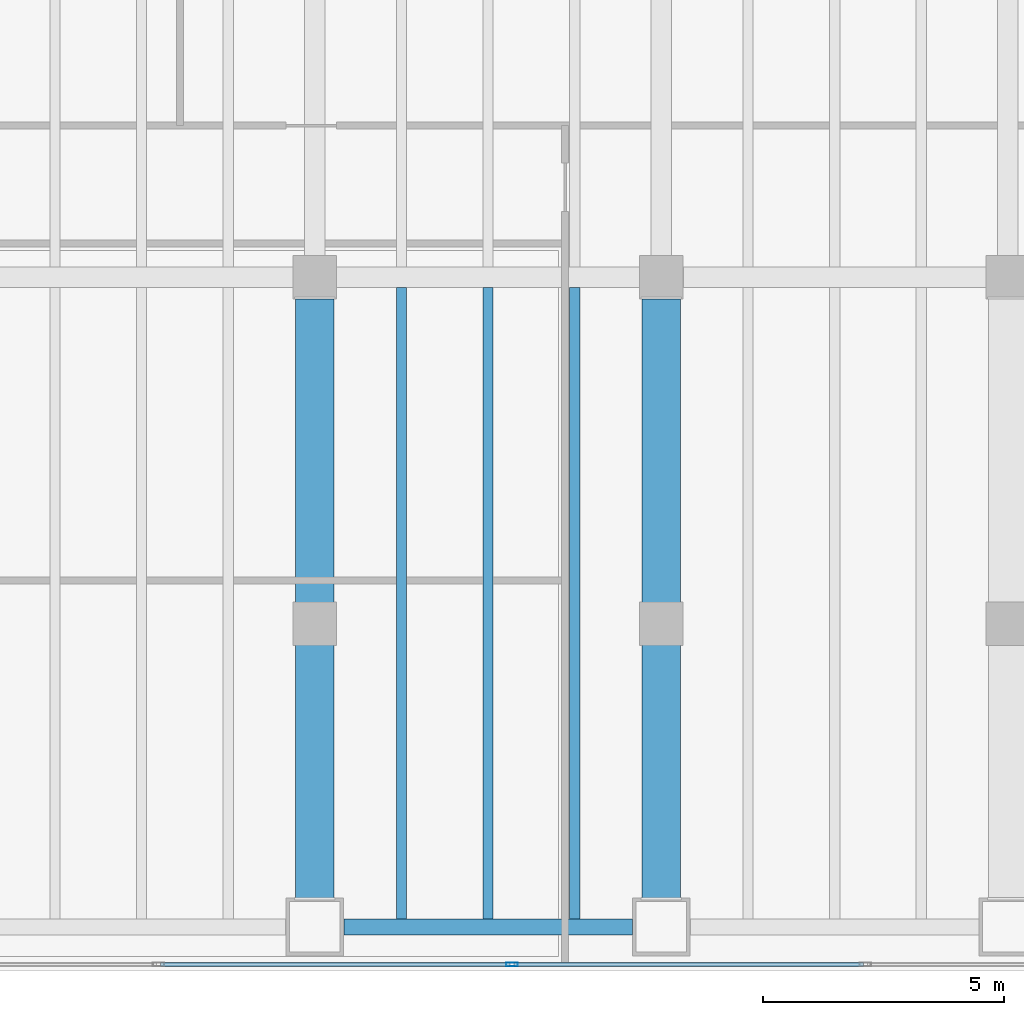
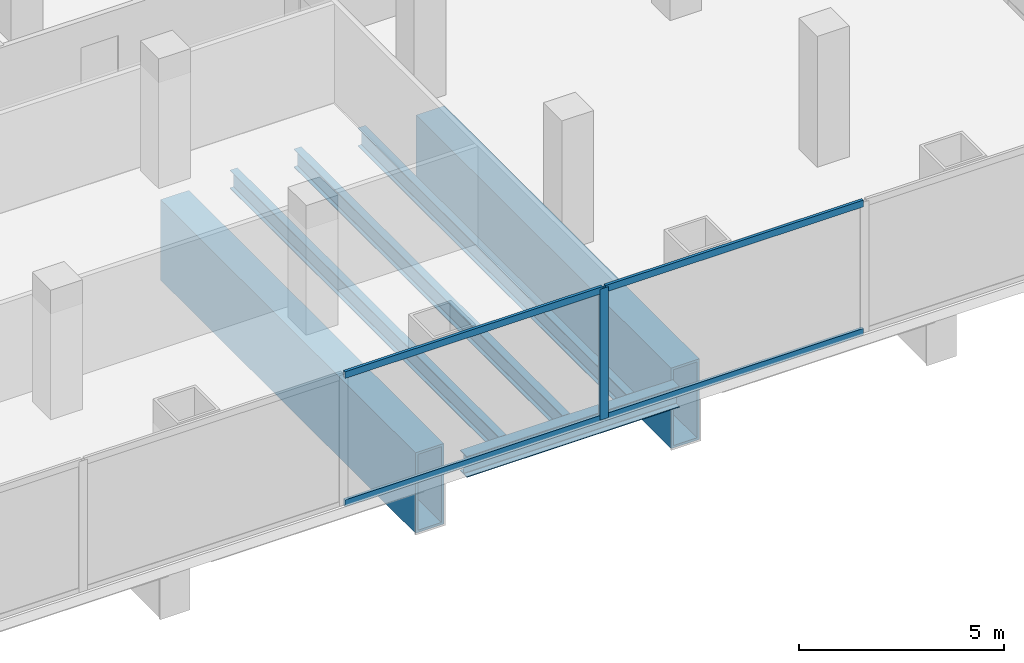
# One storey, part 17 of 34: 6 beams, 5 members, 1 element without a shape of its own.
"""IFC4 building model written with IfcOpenShell, lengths in metres."""

from ifc_helpers import new_model, si_unit, direction, frame, origin, origin_2d, place, context, subcontext, project, spatial, hollow_rectangle, i_section, extrude, material, material_profile, profile_set, type_object, element, aggregate, save


model = new_model("IFC4")

# Units and contexts
model_context = context("Model", 3, precision=1e-05, world=origin(), true_north=direction((0.0, 1.0)))
body_context = subcontext(model_context, "Body", "Model", "MODEL_VIEW")
ifc_project = project(units=[si_unit("LENGTHUNIT", "METRE"), si_unit("AREAUNIT", "SQUARE_METRE"), si_unit("VOLUMEUNIT", "CUBIC_METRE"), si_unit("PLANEANGLEUNIT", "RADIAN"), si_unit("MASSUNIT", "GRAM", prefix="KILO")], contexts=[model_context])

# Site, building, storey
site_placement = place(None, origin())
site = spatial("IfcSite", under=ifc_project, at=site_placement, CompositionType="ELEMENT")
building_placement = place(site_placement, origin())
building = spatial("IfcBuilding", under=site, at=building_placement, Name="Cobrela Telecom Tower", CompositionType="ELEMENT")
storey_placement = place(building_placement, frame((0.0, 0.0, 5.25)))
storey = spatial("IfcBuildingStorey", under=building, at=storey_placement, Name="L01", CompositionType="ELEMENT", Elevation=5.25)

# Beams
ifc_material_1 = material(Name="Steel ASTM A992 Grade 50", Category="steel")
ifc_material_profile_1 = material_profile(ifc_material_1, i_section(OverallWidth=0.212890625, OverallDepth=0.549072265625, WebThickness=0.0146484375, FlangeThickness=0.023681640625, FilletRadius=0.013916015625, at=origin_2d()), Name="W21X93")
ifc_profile_set_1 = profile_set([ifc_material_profile_1], Name="Steel ASTM A992 Grade 50")
beam_type_1 = type_object("IfcBeamType", Name="BM-JOIST-01", PredefinedType="JOIST", material=ifc_profile_set_1)
for number, where, z_axis, x_axis, name in (
    (1, (66.60009765625, 1.069091796875, -0.574462890625), (0.0, 1.0, 0.0), (-1.0, 0.0, 0.0), "L01 Secondary Composite Floor Beam J106"),
    (2, (68.39990234375, 1.069091796875, -0.574462890625), (0.0, 1.0, 0.0), (-1.0, 0.0, 0.0), "L01 Secondary Composite Floor Beam J108"),
    (3, (70.199951171875, 1.069091796875, -0.574462890625), (0.0, 1.0, 0.0), (-1.0, 0.0, 0.0), "L01 Secondary Composite Floor Beam J110"),
):
    element("IfcBeam", number, at=place(storey_placement, frame(where, z_axis=z_axis, x_axis=x_axis)), inside=storey, type_object=beam_type_1, Name=name, PredefinedType="JOIST", context=body_context, shape_type="SweptSolid", body=[
        extrude(i_section(OverallWidth=0.212890625, OverallDepth=0.549072265625, WebThickness=0.0146484375, FlangeThickness=0.023681640625, FilletRadius=0.013916015625, at=origin_2d()), origin(), (0.0, 0.0, 1.0), 13.114013671875),
    ])
ifc_material_profile_2 = material_profile(ifc_material_1, i_section(OverallWidth=0.327880859375, OverallDepth=0.6220703125, WebThickness=0.015380859375, FlangeThickness=0.0244140625, FilletRadius=0.014892578125, at=origin_2d()), Name="W24X131")
ifc_profile_set_2 = profile_set([ifc_material_profile_2], Name="Steel ASTM A992 Grade 50")
beam_type_2 = type_object("IfcBeamType", Name="BM-SPAND-01", PredefinedType="SPANDREL", material=ifc_profile_set_2)
beam_placement = place(storey_placement, frame((65.405029296875, 0.89990234375, -0.611083984375), z_axis=(1.0, 0.0, 0.0), x_axis=(0.0, 1.0, 0.0)))
element("IfcBeam", 4, at=beam_placement, inside=storey, type_object=beam_type_2, Name="L01 Perimeter Spandrel X08", PredefinedType="SPANDREL", context=body_context, shape_type="SweptSolid", body=[
    extrude(i_section(OverallWidth=0.327880859375, OverallDepth=0.6220703125, WebThickness=0.015380859375, FlangeThickness=0.0244140625, FilletRadius=0.014892578125, at=origin_2d()), origin(), (0.0, 0.0, 1.0), 5.989990234375),
])
ifc_material_2 = material(Name="Steel ASTM A572 Grade 50", Category="steel")
ifc_material_profile_3 = material_profile(ifc_material_2, hollow_rectangle(XDim=0.800048828125, YDim=2.39990234375, WallThickness=0.070068359375, at=origin_2d()), Name="BOX 2400x800x70")
ifc_profile_set_3 = profile_set([ifc_material_profile_3], Name="Steel ASTM A572 Grade 50")
beam_type_3 = type_object("IfcBeamType", Name="BM-TRG-2400", PredefinedType="USERDEFINED", material=ifc_profile_set_3)
for number, where, z_axis, x_axis, name in (
    (5, (64.800048828125, 1.5048828125, -1.5), (0.0, 1.0, 0.0), (-1.0, 0.0, 0.0), "L01 Transfer Girder 04"),
    (6, (72.0, 1.5048828125, -1.5), (0.0, 1.0, 0.0), (-1.0, 0.0, 0.0), "L01 Transfer Girder 05"),
):
    element("IfcBeam", number, at=place(storey_placement, frame(where, z_axis=z_axis, x_axis=x_axis)), inside=storey, type_object=beam_type_3, Name=name, ObjectType="GIRDER", PredefinedType="USERDEFINED", context=body_context, shape_type="SweptSolid", body=[
        extrude(hollow_rectangle(XDim=0.800048828125, YDim=2.39990234375, WallThickness=0.070068359375, at=origin_2d()), origin(), (0.0, 0.0, 1.0), 12.440185546875),
    ])

# Curtain wall, members
ifc_material_3 = material(Name="Anodized Bronze Aluminium 6063-T6", Category="aluminium")
curtain_wall_type = type_object("IfcCurtainWallType", Name="CW-SYS-CONC", PredefinedType="USERDEFINED", material=ifc_material_3)
curtain_wall_placement = place(storey_placement, origin())
curtain_wall = element("IfcCurtainWall", 7, at=curtain_wall_placement, inside=storey, type_object=curtain_wall_type, Name="L01 Unitised Bronze Curtain Wall 17", ObjectType="UNITISED CURTAIN WALL", PredefinedType="USERDEFINED")
ifc_material_profile_4 = material_profile(ifc_material_3, hollow_rectangle(XDim=0.080078125, YDim=0.239990234375, WallThickness=0.0048828125, at=origin_2d()), Name="ALU 80x240x5")
ifc_profile_set_4 = profile_set([ifc_material_profile_4], Name="Anodized Bronze Aluminium 6063-T6")
member_type_1 = type_object("IfcMemberType", Name="CW-SYS-CONC-MUL", PredefinedType="MULLION", material=ifc_profile_set_4)
member_1_placement = place(storey_placement, frame((68.896484375, 0.1201171875, 0.0), z_axis=(0.0, 0.0, 1.0), x_axis=(0.0, -1.0, 0.0)))
member_1 = element("IfcMember", 8, at=member_1_placement, type_object=member_type_1, Name="CW-CONC mullion 3", PredefinedType="MULLION", context=body_context, shape_type="SweptSolid", body=[
    extrude(hollow_rectangle(XDim=0.080078125, YDim=0.239990234375, WallThickness=0.0048828125, at=origin_2d()), origin(), (0.0, 0.0, 1.0), 3.89990234375),
])
ifc_material_profile_5 = material_profile(ifc_material_3, hollow_rectangle(XDim=0.080078125, YDim=0.199951171875, WallThickness=0.00390625, at=origin_2d()), Name="ALU 80x200x4")
ifc_profile_set_5 = profile_set([ifc_material_profile_5], Name="Anodized Bronze Aluminium 6063-T6")
member_type_2 = type_object("IfcMemberType", Name="CW-SYS-CONC-TRN", PredefinedType="USERDEFINED", material=ifc_profile_set_5)
member_2_placement = place(storey_placement, frame((76.1982421875, 0.1201171875, 0.0400390625), z_axis=(-1.0, 0.0, 0.0), x_axis=(0.0, -1.0, 0.0)))
member_2 = element("IfcMember", 9, at=member_2_placement, type_object=member_type_2, Name="CW-CONC transom 2.1", ObjectType="TRANSOM", PredefinedType="USERDEFINED", context=body_context, shape_type="SweptSolid", body=[
    extrude(hollow_rectangle(XDim=0.080078125, YDim=0.199951171875, WallThickness=0.00390625, at=origin_2d()), origin(), (0.0, 0.0, 1.0), 7.261962890625),
])
member_3_placement = place(storey_placement, frame((76.1982421875, 0.1201171875, 3.860107421875), z_axis=(-1.0, 0.0, 0.0), x_axis=(0.0, -1.0, 0.0)))
member_3 = element("IfcMember", 10, at=member_3_placement, type_object=member_type_2, Name="CW-CONC transom 2.2", ObjectType="TRANSOM", PredefinedType="USERDEFINED", context=body_context, shape_type="SweptSolid", body=[
    extrude(hollow_rectangle(XDim=0.080078125, YDim=0.199951171875, WallThickness=0.00390625, at=origin_2d()), origin(), (0.0, 0.0, 1.0), 7.261962890625),
])
member_4_placement = place(storey_placement, frame((68.8564453125, 0.1201171875, 0.0400390625), z_axis=(-1.0, 0.0, 0.0), x_axis=(0.0, -1.0, 0.0)))
member_4 = element("IfcMember", 11, at=member_4_placement, type_object=member_type_2, Name="CW-CONC transom 3.1", ObjectType="TRANSOM", PredefinedType="USERDEFINED", context=body_context, shape_type="SweptSolid", body=[
    extrude(hollow_rectangle(XDim=0.080078125, YDim=0.199951171875, WallThickness=0.00390625, at=origin_2d()), origin(), (0.0, 0.0, 1.0), 7.261962890625),
])
member_5_placement = place(storey_placement, frame((68.8564453125, 0.1201171875, 3.860107421875), z_axis=(-1.0, 0.0, 0.0), x_axis=(0.0, -1.0, 0.0)))
member_5 = element("IfcMember", 12, at=member_5_placement, type_object=member_type_2, Name="CW-CONC transom 3.2", ObjectType="TRANSOM", PredefinedType="USERDEFINED", context=body_context, shape_type="SweptSolid", body=[
    extrude(hollow_rectangle(XDim=0.080078125, YDim=0.199951171875, WallThickness=0.00390625, at=origin_2d()), origin(), (0.0, 0.0, 1.0), 7.261962890625),
])
aggregate(curtain_wall, [member_1, member_2, member_3, member_4, member_5])

save(model, "model.ifc")
